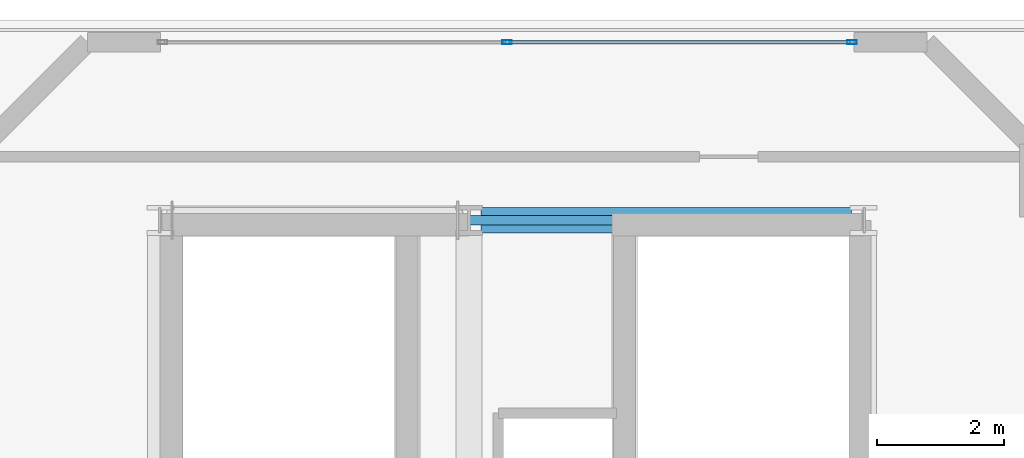
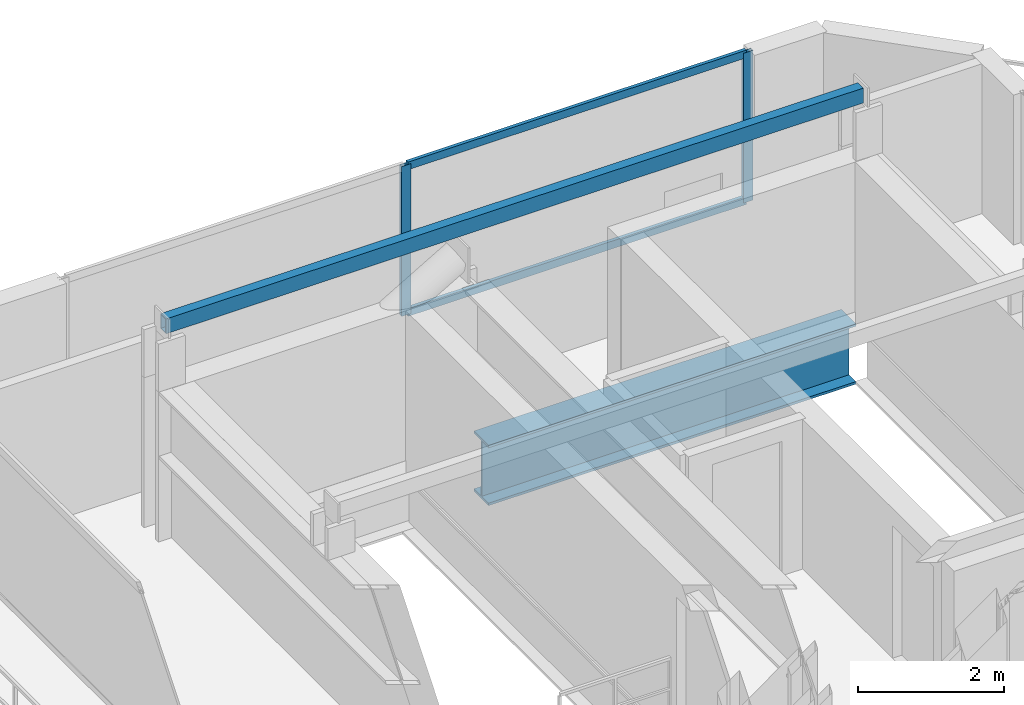
# One storey, part 6 of 9: 5 members, 1 beam, 1 element without a shape of its own.
"""IFC4 building model written with IfcOpenShell, lengths in metres."""

from ifc_helpers import new_model, si_unit, direction, frame, origin, origin_2d, place, context, subcontext, project, spatial, hollow_rectangle, i_section, extrude, material, layer, layer_set, material_profile, profile_set, type_object, element, aggregate, save


model = new_model("IFC4")

# Units and contexts
model_context = context("Model", 3, precision=1e-05, world=origin(), true_north=direction((0.0, 1.0)))
body_context = subcontext(model_context, "Body", "Model", "MODEL_VIEW")
ifc_project = project(units=[si_unit("LENGTHUNIT", "METRE"), si_unit("AREAUNIT", "SQUARE_METRE"), si_unit("VOLUMEUNIT", "CUBIC_METRE"), si_unit("PLANEANGLEUNIT", "RADIAN"), si_unit("MASSUNIT", "GRAM", prefix="KILO")], contexts=[model_context])

# Site, building, storey
site_placement = place(None, origin())
site = spatial("IfcSite", under=ifc_project, at=site_placement, CompositionType="ELEMENT")
building_placement = place(site_placement, origin())
building = spatial("IfcBuilding", under=site, at=building_placement, Name="Zuhayl Quay Hotel", CompositionType="ELEMENT")
storey_placement = place(building_placement, frame((0.0, 0.0, 316.25)))
storey = spatial("IfcBuildingStorey", under=building, at=storey_placement, Name="Crown 6", CompositionType="ELEMENT", Elevation=316.25)

# Beam
ifc_material_1 = material(Name="Steel ASTM A992 Grade 50", Category="steel")
ifc_material_profile_1 = material_profile(ifc_material_1, i_section(OverallWidth=0.40087890625, OverallDepth=1.010986328125, WebThickness=0.023681640625, FlangeThickness=0.0419921875, at=origin_2d()), Name="W40X297")
ifc_profile_set_1 = profile_set([ifc_material_profile_1], Name="Steel ASTM A992 Grade 50")
beam_type = type_object("IfcBeamType", Name="BM_TG2_W40X297", PredefinedType="BEAM", material=ifc_profile_set_1)
beam_placement = place(storey_placement, frame((-4.409912109375, 34.449951171875, -0.74560546875), z_axis=(1.0, 0.0, 0.0), x_axis=(0.0, 1.0, 0.0)))
element("IfcBeam", 1, at=beam_placement, inside=storey, type_object=beam_type, Name="Crown 6 Floor Beam CR_EW_6_2_2", PredefinedType="BEAM", context=body_context, shape_type="SweptSolid", body=[
    extrude(i_section(OverallWidth=0.40087890625, OverallDepth=1.010986328125, WebThickness=0.023681640625, FlangeThickness=0.0419921875, at=origin_2d()), origin(), (0.0, 0.0, 1.0), 5.81982421875),
])

# Curtain wall, members
ifc_material_2 = material(Name="Anodised Aluminium 6063-T6", Category="aluminium")
ifc_layer = layer(ifc_material_2, 0.159912109375, Name="Anodised Aluminium 6063-T6", Category="aluminium")
ifc_layer_set = layer_set([ifc_layer], Name="Anodised Aluminium 6063-T6")
curtain_wall_type = type_object("IfcCurtainWallType", Name="CW_SYS_CRN", PredefinedType="USERDEFINED", material=ifc_layer_set)
curtain_wall_placement = place(storey_placement, origin())
curtain_wall = element("IfcCurtainWall", 2, at=curtain_wall_placement, inside=storey, type_object=curtain_wall_type, Name="Crown 6 Curtain Wall ENV_CR6_E3_CW1", ObjectType="UNITISED CURTAIN WALL", PredefinedType="USERDEFINED")
ifc_material_3 = material(Name="Black-anodised aluminium 6063-T6", Category="aluminium")
ifc_material_profile_2 = material_profile(ifc_material_3, hollow_rectangle(XDim=0.06005859375, YDim=0.14990234375, WallThickness=0.00341796875, at=origin_2d()), Name="ALU150X60")
ifc_profile_set_2 = profile_set([ifc_material_profile_2], Name="Black-anodised aluminium 6063-T6")
member_type_1 = type_object("IfcMemberType", Name="MB_CW_MUL_150", PredefinedType="MULLION", material=ifc_profile_set_2)
member_1_placement = place(storey_placement, frame((-4.0, 37.25, 0.0), z_axis=(0.0, 0.0, 1.0), x_axis=(0.0, 1.0, 0.0)))
member_1 = element("IfcMember", 3, at=member_1_placement, type_object=member_type_1, Name="CW-CRN mullion 2", PredefinedType="MULLION", context=body_context, shape_type="SweptSolid", body=[
    extrude(hollow_rectangle(XDim=0.06005859375, YDim=0.14990234375, WallThickness=0.00341796875, at=origin_2d()), origin(), (0.0, 0.0, 1.0), 2.510009765625),
])
member_2_placement = place(storey_placement, frame((1.419921875, 37.25, 0.0), z_axis=(0.0, 0.0, 1.0), x_axis=(0.0, 1.0, 0.0)))
member_2 = element("IfcMember", 4, at=member_2_placement, type_object=member_type_1, Name="CW-CRN mullion 3", PredefinedType="MULLION", context=body_context, shape_type="SweptSolid", body=[
    extrude(hollow_rectangle(XDim=0.06005859375, YDim=0.14990234375, WallThickness=0.00341796875, at=origin_2d()), origin(), (0.0, 0.0, 1.0), 2.510009765625),
])
ifc_material_profile_3 = material_profile(ifc_material_3, hollow_rectangle(XDim=0.054931640625, YDim=0.1298828125, WallThickness=0.0029296875, at=origin_2d()), Name="ALU130X55")
ifc_profile_set_3 = profile_set([ifc_material_profile_3], Name="Black-anodised aluminium 6063-T6")
member_type_2 = type_object("IfcMemberType", Name="MB_CW_TRN_130", PredefinedType="USERDEFINED", material=ifc_profile_set_3)
member_3_placement = place(storey_placement, frame((-3.969970703125, 37.25, 0.027587890625), z_axis=(1.0, 0.0, 0.0), x_axis=(0.0, 1.0, 0.0)))
member_3 = element("IfcMember", 5, at=member_3_placement, type_object=member_type_2, Name="CW-CRN transom 2.1", ObjectType="TRANSOM", PredefinedType="USERDEFINED", context=body_context, shape_type="SweptSolid", body=[
    extrude(hollow_rectangle(XDim=0.054931640625, YDim=0.1298828125, WallThickness=0.0029296875, at=origin_2d()), origin(), (0.0, 0.0, 1.0), 5.35986328125),
])
member_4_placement = place(storey_placement, frame((-3.969970703125, 37.25, 2.482421875), z_axis=(1.0, 0.0, 0.0), x_axis=(0.0, 1.0, 0.0)))
member_4 = element("IfcMember", 6, at=member_4_placement, type_object=member_type_2, Name="CW-CRN transom 2.2", ObjectType="TRANSOM", PredefinedType="USERDEFINED", context=body_context, shape_type="SweptSolid", body=[
    extrude(hollow_rectangle(XDim=0.054931640625, YDim=0.1298828125, WallThickness=0.0029296875, at=origin_2d()), origin(), (0.0, 0.0, 1.0), 5.35986328125),
])
aggregate(curtain_wall, [member_1, member_2, member_3, member_4])

# Member
ifc_material_4 = material(Name="Steel ASTM A500 Grade C", Category="steel")
ifc_material_profile_4 = material_profile(ifc_material_4, hollow_rectangle(XDim=0.14990234375, YDim=0.25, WallThickness=0.010009765625, at=origin_2d()), Name="HSS250X150X10")
ifc_profile_set_4 = profile_set([ifc_material_profile_4], Name="Steel ASTM A500 Grade C")
member_type_3 = type_object("IfcMemberType", Name="MB_PR_HSS250", PredefinedType="PURLIN", material=ifc_profile_set_4)
member_5_placement = place(storey_placement, frame((-9.449951171875, 34.449951171875, 3.43994140625), z_axis=(1.0, 0.0, 0.0), x_axis=(0.0, 1.0, 0.0)))
element("IfcMember", 7, at=member_5_placement, inside=storey, type_object=member_type_3, Name="Crown 6 Ridge Purlin PR1-3", PredefinedType="PURLIN", context=body_context, shape_type="SweptSolid", body=[
    extrude(hollow_rectangle(XDim=0.14990234375, YDim=0.25, WallThickness=0.010009765625, at=origin_2d()), origin(), (0.0, 0.0, 1.0), 11.050048828125),
])

save(model, "model.ifc")
